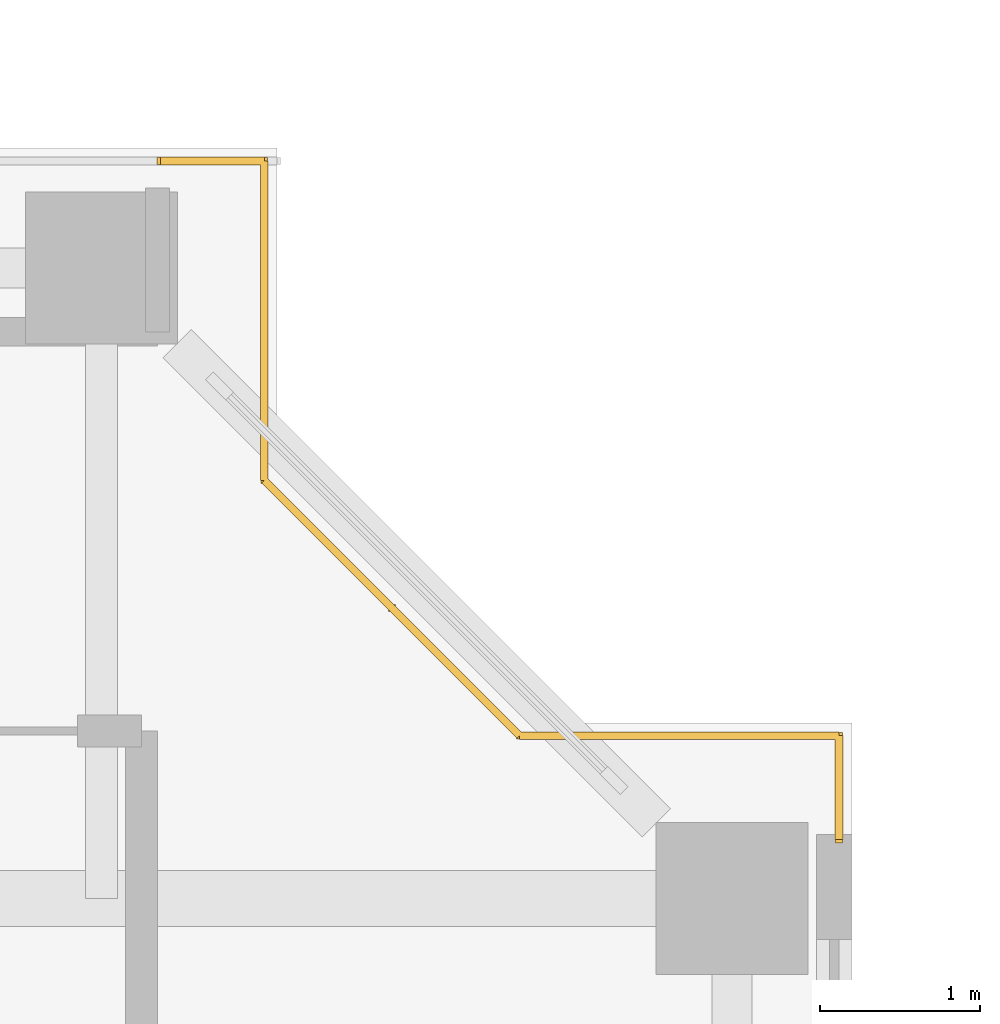
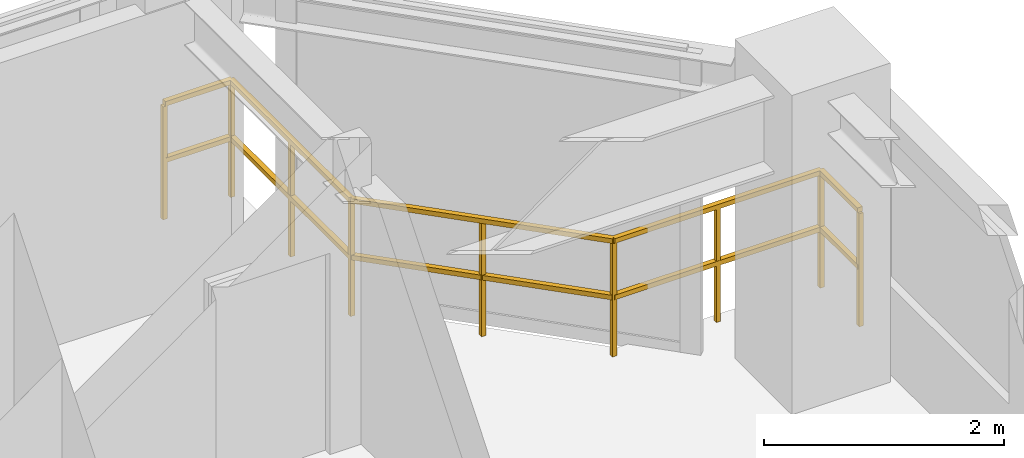
# One storey, part 23 of 23: 1 railing.
"""IFC4 building model written with IfcOpenShell, lengths in metres."""

import ifcopenshell
import ifcopenshell.guid

model = None  # the IFC model being written
_history = None  # IfcOwnerHistory: only IFC2X3 demands one
_inside = {}  # id of a spatial element -> (the spatial element, [elements in it])
_under = {}  # id of a project, library or spatial element -> (it, [spatial elements below it])
_declared = {}  # id of a project -> (the project, [libraries it declares])
_typed = {}  # id of a type object -> (the type object, [elements of that type])
_made_of = {}  # id of a material, layer set ... -> (it, [elements and type objects made of it])


def new_model(schema):
    """Start an empty IFC model of exactly this schema.

    Asked for "IFC4X3", IfcOpenShell would pick the latest addendum, in which some entities
    have other attributes; the version numbers below select the first issue.
    IFC2X3 requires an IfcOwnerHistory on every rooted entity: one is made here for all.
    """
    global model, _history
    if schema == "IFC4X3":
        model = ifcopenshell.file(schema_version=(4, 3, 0, 0))
    else:
        model = ifcopenshell.file(schema=schema)
    _inside.clear()
    _under.clear()
    _declared.clear()
    _typed.clear()
    _made_of.clear()
    _history = None
    if model.schema == "IFC2X3":
        org = make("IfcOrganization", Name="unknown")
        user = make(
            "IfcPersonAndOrganization",
            ThePerson=make("IfcPerson", FamilyName="unknown"),
            TheOrganization=org,
        )
        app = make(
            "IfcApplication",
            ApplicationDeveloper=org,
            Version="unknown",
            ApplicationFullName="unknown",
            ApplicationIdentifier="unknown",
        )
        _history = make(
            "IfcOwnerHistory",
            OwningUser=user,
            OwningApplication=app,
            ChangeAction="ADDED",
            CreationDate=0,
        )
    return model


def make(cls, **values):
    """One entity of the class cls with the attributes given. An attribute that is None is left unset."""
    return model.create_entity(
        cls, **{name: value for name, value in values.items() if value is not None}
    )


def rooted(cls, **values):
    """An entity with a GlobalId (a new one), such as an element, a storey or a relation."""
    return make(cls, GlobalId=ifcopenshell.guid.new(), OwnerHistory=_history, **values)


def si_unit(unit_type, name, prefix=None):
    """IfcSIUnit, for example si_unit("LENGTHUNIT", "METRE", prefix="MILLI")."""
    return make("IfcSIUnit", UnitType=unit_type, Prefix=prefix, Name=name)


def assignment(units):
    """IfcUnitAssignment: the units of a project."""
    return None if units is None else make("IfcUnitAssignment", Units=units)


def point(xyz):
    """IfcCartesianPoint."""
    return None if xyz is None else make("IfcCartesianPoint", Coordinates=xyz)


def direction(xyz):
    """IfcDirection."""
    return None if xyz is None else make("IfcDirection", DirectionRatios=xyz)


def frame(location, z_axis=None, x_axis=None):
    """IfcAxis2Placement3D, a coordinate frame: its origin and axes. An axis left out is left unset."""
    return make(
        "IfcAxis2Placement3D",
        Location=point(location),
        Axis=direction(z_axis),
        RefDirection=direction(x_axis),
    )


def frame_2d(location, x_axis=None):
    """IfcAxis2Placement2D, a coordinate frame in the plane: its origin and x axis."""
    return make(
        "IfcAxis2Placement2D", Location=point(location), RefDirection=direction(x_axis)
    )


def origin():
    """The frame at (0, 0, 0) with its axes left unset."""
    return frame((0.0, 0.0, 0.0))


def origin_2d():
    """The frame at (0, 0) in the plane with its x axis left unset."""
    return frame_2d((0.0, 0.0))


def place(relative_to, where):
    """IfcLocalPlacement: puts the frame where relative to a parent placement (None: the world)."""
    return make(
        "IfcLocalPlacement", PlacementRelTo=relative_to, RelativePlacement=where
    )


def context(
    kind, dimensions, precision=None, world=None, true_north=None, identifier=None
):
    """IfcGeometricRepresentationContext, for example the 3D "Model" context."""
    return make(
        "IfcGeometricRepresentationContext",
        ContextIdentifier=identifier,
        ContextType=kind,
        CoordinateSpaceDimension=dimensions,
        Precision=precision,
        WorldCoordinateSystem=world,
        TrueNorth=true_north,
    )


def subcontext(parent, identifier, kind, view, scale=None):
    """IfcGeometricRepresentationSubContext, for example "Body" below "Model"."""
    return make(
        "IfcGeometricRepresentationSubContext",
        ContextIdentifier=identifier,
        ContextType=kind,
        ParentContext=parent,
        TargetScale=scale,
        TargetView=view,
    )


def project(units=None, contexts=None):
    """IfcProject with its units and contexts."""
    return rooted(
        "IfcProject",
        Name="project",
        RepresentationContexts=contexts,
        UnitsInContext=assignment(units),
    )


def spatial(cls, under=None, at=None, **own):
    """A site, building, storey or space (cls), placed at a placement, below another one or the project."""
    s = rooted(cls, ObjectPlacement=at, **own)
    if under is not None:
        _under.setdefault(under.id(), (under, []))[1].append(s)
    return s


def profile(cls, at=None, kind="AREA", **sizes):
    """A parametric profile (cls). Its sizes go by their IFC names, for example OverallWidth=200.0."""
    return make(cls, ProfileType=kind, Position=at, **sizes)


def rectangle(**sizes):
    """IfcRectangleProfileDef."""
    return profile("IfcRectangleProfileDef", **sizes)


def extrude(swept, where, along, depth):
    """IfcExtrudedAreaSolid: the profile swept, set in the frame where, extruded along a direction by depth."""
    return make(
        "IfcExtrudedAreaSolid",
        SweptArea=swept,
        Position=where,
        ExtrudedDirection=direction(along),
        Depth=depth,
    )


def shape(context_of_items, identifier, shape_type, items):
    """IfcShapeRepresentation: the items that make up one representation, for example the "Body"."""
    return make(
        "IfcShapeRepresentation",
        ContextOfItems=context_of_items,
        RepresentationIdentifier=identifier,
        RepresentationType=shape_type,
        Items=items,
    )


def material(Name=None, Category=None):
    """IfcMaterial."""
    return make("IfcMaterial", Name=Name, Category=Category)


def made_of(thing, what):
    """Note that an element or type object is made of a material, layer set ...; save() writes the relation."""
    if what is not None:
        _made_of.setdefault(what.id(), (what, []))[1].append(thing)
    return thing


def type_object(cls, material=None, **own):
    """A type object (cls), such as IfcWallType, which elements share."""
    return made_of(rooted(cls, **own), material)


def element(
    cls,
    number,
    at=None,
    inside=None,
    cuts=None,
    type_object=None,
    material=None,
    context=None,
    identifier="Body",
    shape_type=None,
    held_by="IfcProductDefinitionShape",
    body=None,
    shapes=None,
    **own,
):
    """One element of the class cls, such as IfcWall. Its Tag is "e" and its number.

    at: its placement. inside: the storey or other place that contains it. cuts: it is an
    opening in that element (IfcRelVoidsElement). A single representation is given by context,
    identifier, shape_type and body (its items); several are given by shapes. held_by: the class
    of the entity that holds the representations. save() writes the other relations.
    """
    e = rooted(cls, Tag="e%d" % number, ObjectPlacement=at, **own)
    if body is not None:
        shapes = [shape(context, identifier, shape_type, body)]
    if shapes is not None:
        e.Representation = make(held_by, Representations=shapes)
    if inside is not None:
        _inside.setdefault(inside.id(), (inside, []))[1].append(e)
    if cuts is not None:
        rooted(
            "IfcRelVoidsElement", RelatingBuildingElement=cuts, RelatedOpeningElement=e
        )
    if type_object is not None:
        _typed.setdefault(type_object.id(), (type_object, []))[1].append(e)
    return made_of(e, material)


def aggregate(whole, parts):
    """IfcRelAggregates: a whole, such as a stair, and the parts it consists of."""
    return rooted("IfcRelAggregates", RelatingObject=whole, RelatedObjects=parts)


def save(model, path):
    """Write the relations noted so far, then the file.

    IfcRelAggregates (storeys below a building ...), IfcRelContainedInSpatialStructure (elements
    in a storey), IfcRelDefinesByType, IfcRelAssociatesMaterial and IfcRelDeclares: one each for
    every whole, place, type object, material and project.
    """
    for whole, parts in _under.values():
        aggregate(whole, parts)
    for where, things in _inside.values():
        rooted(
            "IfcRelContainedInSpatialStructure",
            RelatedElements=things,
            RelatingStructure=where,
        )
    for kind, things in _typed.values():
        rooted("IfcRelDefinesByType", RelatedObjects=things, RelatingType=kind)
    for what, things in _made_of.values():
        rooted("IfcRelAssociatesMaterial", RelatedObjects=things, RelatingMaterial=what)
    for by, libraries in _declared.values():
        rooted("IfcRelDeclares", RelatingContext=by, RelatedDefinitions=libraries)
    model.write(path)


model = new_model("IFC4")

# Units and contexts
model_context = context("Model", 3, precision=1e-05, world=origin(), true_north=direction((0.0, 1.0)))
body_context = subcontext(model_context, "Body", "Model", "MODEL_VIEW")
ifc_project = project(units=[si_unit("LENGTHUNIT", "METRE"), si_unit("AREAUNIT", "SQUARE_METRE"), si_unit("VOLUMEUNIT", "CUBIC_METRE"), si_unit("PLANEANGLEUNIT", "RADIAN"), si_unit("MASSUNIT", "GRAM", prefix="KILO"), si_unit("THERMODYNAMICTEMPERATUREUNIT", "KELVIN"), si_unit("POWERUNIT", "WATT")], contexts=[model_context])

# Site, building, storey
site_placement = place(None, origin())
site = spatial("IfcSite", under=ifc_project, at=site_placement, CompositionType="ELEMENT")
building_placement = place(site_placement, origin())
building = spatial("IfcBuilding", under=site, at=building_placement, Name="Qiaomeng Ring Towers", CompositionType="ELEMENT")
storey_placement = place(building_placement, frame((0.0, 0.0, 29.5)))
storey = spatial("IfcBuildingStorey", under=building, at=storey_placement, Name="L07", CompositionType="ELEMENT", Elevation=29.5)

# Railing
ifc_material = material(Name="Low-E pale-green laminated safety glass", Category="glass")
railing_type = type_object("IfcRailingType", Name="ARC-RL-BAL1", PredefinedType="BALUSTRADE", material=ifc_material)
railing_placement = place(storey_placement, frame((73.919921875, 32.169921875, 0.0)))
element("IfcRailing", 1, at=railing_placement, inside=storey, type_object=railing_type, Name="L07 Balustrade ARC-BAL-NOTCH2-L07-NE", PredefinedType="BALUSTRADE", context=body_context, shape_type="SweptSolid", body=[
    extrude(rectangle(XDim=0.048095703125, YDim=0.048095703125, at=origin_2d()), frame((0.0, 0.0, 1.17578125), z_axis=(0.0, 1.0, 0.0), x_axis=(-1.0, 0.0, 0.0)), (0.0, 0.0, 1.0), 0.650146484375),
    extrude(rectangle(XDim=0.048095703125, YDim=0.048095703125, at=origin_2d()), frame((0.0, 0.0, 0.60009765625), z_axis=(0.0, 1.0, 0.0), x_axis=(-1.0, 0.0, 0.0)), (0.0, 0.0, 1.0), 0.650146484375),
    extrude(rectangle(XDim=0.048095703125, YDim=0.048095703125, at=origin_2d()), frame((0.0, 0.650146484375, 1.17578125), z_axis=(-1.0, 0.0, 0.0), x_axis=(0.0, -1.0, 0.0)), (0.0, 0.0, 1.0), 2.0),
    extrude(rectangle(XDim=0.048095703125, YDim=0.048095703125, at=origin_2d()), frame((0.0, 0.650146484375, 0.60009765625), z_axis=(-1.0, 0.0, 0.0), x_axis=(0.0, -1.0, 0.0)), (0.0, 0.0, 1.0), 2.0),
    extrude(rectangle(XDim=0.048095703125, YDim=0.048095703125, at=origin_2d()), frame((-2.0, 0.650146484375, 1.17578125), z_axis=(-0.707106781187, 0.707106781187, 0.0), x_axis=(-0.707106781187, -0.707106781187, 0.0)), (0.0, 0.0, 1.0), 2.262451171875),
    extrude(rectangle(XDim=0.048095703125, YDim=0.048095703125, at=origin_2d()), frame((-2.0, 0.650146484375, 0.60009765625), z_axis=(-0.707106781187, 0.707106781187, 0.0), x_axis=(-0.707106781187, -0.707106781187, 0.0)), (0.0, 0.0, 1.0), 2.262451171875),
    extrude(rectangle(XDim=0.048095703125, YDim=0.048095703125, at=origin_2d()), frame((-3.599853515625, 2.25, 1.17578125), z_axis=(0.0, 1.0, 0.0), x_axis=(-1.0, 0.0, 0.0)), (0.0, 0.0, 1.0), 2.0),
    extrude(rectangle(XDim=0.048095703125, YDim=0.048095703125, at=origin_2d()), frame((-3.599853515625, 2.25, 0.60009765625), z_axis=(0.0, 1.0, 0.0), x_axis=(-1.0, 0.0, 0.0)), (0.0, 0.0, 1.0), 2.0),
    extrude(rectangle(XDim=0.048095703125, YDim=0.048095703125, at=origin_2d()), frame((-3.599853515625, 4.25, 1.17578125), z_axis=(-1.0, 0.0, 0.0), x_axis=(0.0, -1.0, 0.0)), (0.0, 0.0, 1.0), 0.650146484375),
    extrude(rectangle(XDim=0.048095703125, YDim=0.048095703125, at=origin_2d()), frame((-3.599853515625, 4.25, 0.60009765625), z_axis=(-1.0, 0.0, 0.0), x_axis=(0.0, -1.0, 0.0)), (0.0, 0.0, 1.0), 0.650146484375),
    extrude(rectangle(XDim=0.0419921875, YDim=0.0419921875, at=origin_2d()), origin(), (0.0, 0.0, 1.0), 1.15185546875),
    extrude(rectangle(XDim=0.0419921875, YDim=0.0419921875, at=origin_2d()), frame((0.0, 0.650146484375, 0.0)), (0.0, 0.0, 1.0), 1.15185546875),
    extrude(rectangle(XDim=0.0419921875, YDim=0.0419921875, at=origin_2d()), frame((-1.0, 0.650146484375, 0.0)), (0.0, 0.0, 1.0), 1.15185546875),
    extrude(rectangle(XDim=0.0419921875, YDim=0.0419921875, at=origin_2d()), frame((-2.0, 0.650146484375, 0.0)), (0.0, 0.0, 1.0), 1.15185546875),
    extrude(rectangle(XDim=0.0419921875, YDim=0.0419921875, at=origin_2d()), frame((-2.7998046875, 1.4501953125, 0.0)), (0.0, 0.0, 1.0), 1.15185546875),
    extrude(rectangle(XDim=0.0419921875, YDim=0.0419921875, at=origin_2d()), frame((-3.599853515625, 2.25, 0.0)), (0.0, 0.0, 1.0), 1.15185546875),
    extrude(rectangle(XDim=0.0419921875, YDim=0.0419921875, at=origin_2d()), frame((-3.599853515625, 3.25, 0.0)), (0.0, 0.0, 1.0), 1.15185546875),
    extrude(rectangle(XDim=0.0419921875, YDim=0.0419921875, at=origin_2d()), frame((-3.599853515625, 4.25, 0.0)), (0.0, 0.0, 1.0), 1.15185546875),
    extrude(rectangle(XDim=0.0419921875, YDim=0.0419921875, at=origin_2d()), frame((-4.25, 4.25, 0.0)), (0.0, 0.0, 1.0), 1.15185546875),
])

save(model, "model.ifc")
